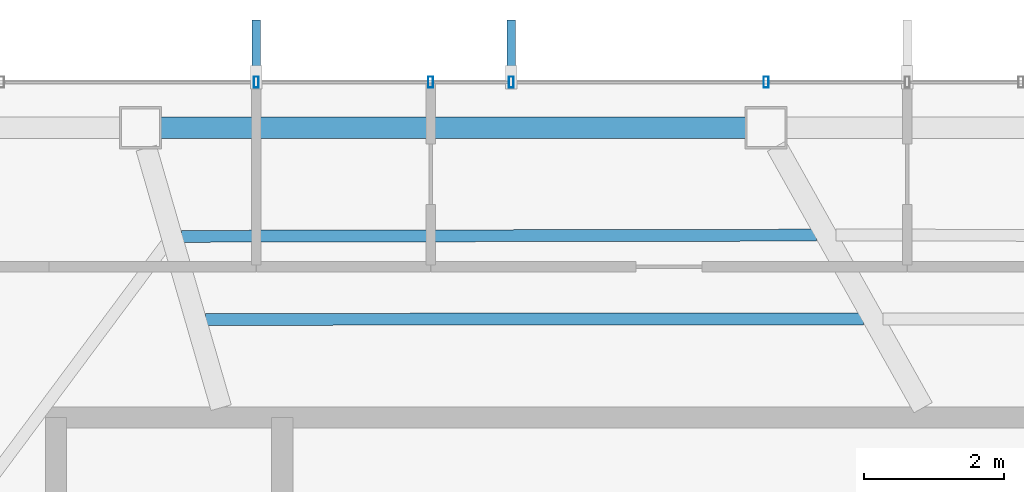
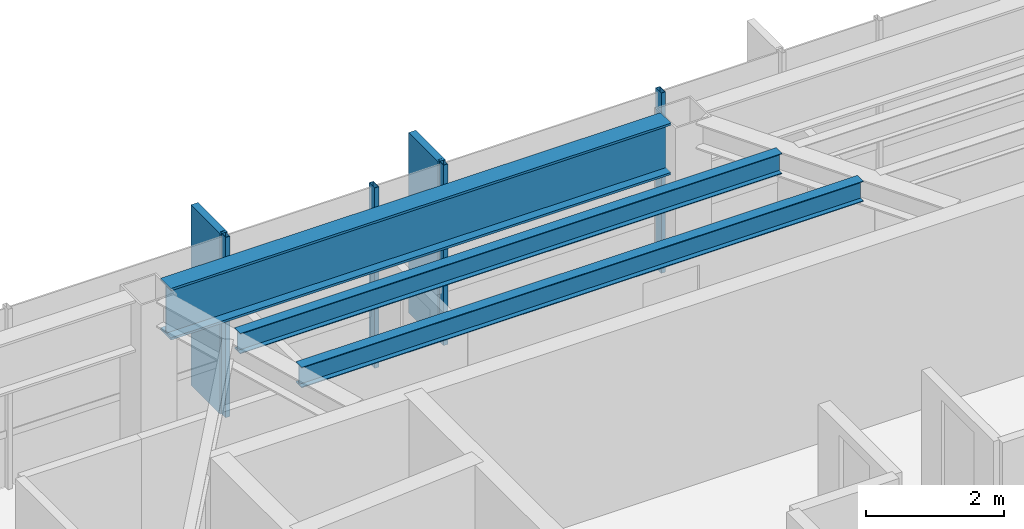
# One storey, part 14 of 27: 6 members, 3 beams, 1 element without a shape of its own.
"""IFC4 building model written with IfcOpenShell, lengths in metres."""

from ifc_helpers import new_model, si_unit, direction, frame, origin, origin_2d, place, context, subcontext, project, spatial, rectangle, hollow_rectangle, i_section, extrude, material, layer, layer_set, material_profile, profile_set, type_object, element, aggregate, save


model = new_model("IFC4")

# Units and contexts
model_context = context("Model", 3, precision=1e-05, world=origin(), true_north=direction((0.0, 1.0)))
body_context = subcontext(model_context, "Body", "Model", "MODEL_VIEW")
ifc_project = project(units=[si_unit("LENGTHUNIT", "METRE"), si_unit("AREAUNIT", "SQUARE_METRE"), si_unit("VOLUMEUNIT", "CUBIC_METRE"), si_unit("PLANEANGLEUNIT", "RADIAN"), si_unit("MASSUNIT", "GRAM", prefix="KILO")], contexts=[model_context])

# Site, building, storey
site_placement = place(None, origin())
site = spatial("IfcSite", under=ifc_project, at=site_placement, CompositionType="ELEMENT")
building_placement = place(site_placement, origin())
building = spatial("IfcBuilding", under=site, at=building_placement, Name="Zarrinselat Tower", CompositionType="ELEMENT")
storey_placement = place(building_placement, frame((0.0, 0.0, 232.56005859375)))
storey = spatial("IfcBuildingStorey", under=building, at=storey_placement, Name="L58", CompositionType="ELEMENT", Elevation=232.56005859375)

# Beams
ifc_material_1 = material(Name="Steel S460M", Category="steel")
ifc_material_profile_1 = material_profile(ifc_material_1, i_section(OverallWidth=0.302001953125, OverallDepth=0.909912109375, WebThickness=0.02099609375, FlangeThickness=0.0400390625, at=origin_2d()), Name="HEM 900")
ifc_profile_set_1 = profile_set([ifc_material_profile_1], Name="Steel S460M")
beam_type_1 = type_object("IfcBeamType", Name="BM-HEM900", PredefinedType="BEAM", material=ifc_profile_set_1)
beam_1_placement = place(storey_placement, frame((30.136962890625, 47.52783203125, 2.724853515625), z_axis=(1.0, 0.0, 0.0), x_axis=(0.0, 1.0, 0.0)))
element("IfcBeam", 1, at=beam_1_placement, inside=storey, type_object=beam_type_1, Name="L58 Perimeter Spandrel Girder SP03", PredefinedType="BEAM", context=body_context, shape_type="SweptSolid", body=[
    extrude(i_section(OverallWidth=0.302001953125, OverallDepth=0.909912109375, WebThickness=0.02099609375, FlangeThickness=0.0400390625, at=origin_2d()), origin(), (0.0, 0.0, 1.0), 8.33837890625),
])
ifc_material_2 = material(Name="Steel S355J2", Category="steel")
ifc_material_profile_2 = material_profile(ifc_material_2, i_section(OverallWidth=0.169921875, OverallDepth=0.360107421875, WebThickness=0.008056640625, FlangeThickness=0.0126953125, at=origin_2d()), Name="IPE 360")
ifc_profile_set_2 = profile_set([ifc_material_profile_2], Name="Steel S355J2")
beam_type_2 = type_object("IfcBeamType", Name="BM-IPE360", PredefinedType="JOIST", material=ifc_profile_set_2)
beam_2_placement = place(storey_placement, frame((30.435546875, 45.980712890625, 3.0), z_axis=(0.999998215301, 0.001889284367, 0.0), x_axis=(-0.001889284367, 0.999998215301, 0.0)))
element("IfcBeam", 2, at=beam_2_placement, inside=storey, type_object=beam_type_2, Name="L58 Composite Floor Joist 8-1", PredefinedType="JOIST", context=body_context, shape_type="SweptSolid", body=[
    extrude(i_section(OverallWidth=0.169921875, OverallDepth=0.360107421875, WebThickness=0.008056640625, FlangeThickness=0.0126953125, at=origin_2d()), origin(), (0.0, 0.0, 1.0), 9.045654296875),
])
beam_3_placement = place(storey_placement, frame((30.777099609375, 44.79736328125, 3.0), z_axis=(0.999999560341, 0.000937719366, 0.0), x_axis=(-0.000937719366, 0.999999560341, 0.0)))
element("IfcBeam", 3, at=beam_3_placement, inside=storey, type_object=beam_type_2, Name="L58 Composite Floor Joist 8-2", PredefinedType="JOIST", context=body_context, shape_type="SweptSolid", body=[
    extrude(i_section(OverallWidth=0.169921875, OverallDepth=0.360107421875, WebThickness=0.008056640625, FlangeThickness=0.0126953125, at=origin_2d()), origin(), (0.0, 0.0, 1.0), 9.372802734375),
])

# Curtain wall, members
ifc_material_3 = material(Name="Extruded Aluminium Alloy EN AW-6063 T6", Category="aluminium")
ifc_layer = layer(ifc_material_3, 0.169921875)
ifc_layer_set = layer_set([ifc_layer], Name="Extruded Aluminium Alloy EN AW-6063 T6")
curtain_wall_type = type_object("IfcCurtainWallType", Name="CWS-RES", PredefinedType="NOTDEFINED", material=ifc_layer_set)
curtain_wall_placement = place(storey_placement, origin())
curtain_wall = element("IfcCurtainWall", 4, at=curtain_wall_placement, inside=storey, type_object=curtain_wall_type, Name="L58 Unitised Curtain Wall CW-L58-E01", PredefinedType="NOTDEFINED")
ifc_material_4 = material(Name="Extruded Aluminium Alloy EN AW-6063 T6", Category="aluminium")
ifc_material_profile_3 = material_profile(ifc_material_4, hollow_rectangle(XDim=0.070068359375, YDim=0.159912109375, WallThickness=0.00390625, at=origin_2d()), Name="RHS 160x70x4")
ifc_profile_set_3 = profile_set([ifc_material_profile_3], Name="Extruded Aluminium Alloy EN AW-6063 T6")
member_type_1 = type_object("IfcMemberType", Name="MEM-CW-MUL2", PredefinedType="MULLION", material=ifc_profile_set_3)
member_1_placement = place(storey_placement, frame((38.763427734375, 48.177734375, 0.0), z_axis=(0.0, 0.0, 1.0), x_axis=(-1.0, 0.0, 0.0)))
member_1 = element("IfcMember", 5, at=member_1_placement, type_object=member_type_1, Name="CW-L58-E01 Mullion 6", PredefinedType="MULLION", context=body_context, shape_type="SweptSolid", body=[
    extrude(hollow_rectangle(XDim=0.070068359375, YDim=0.159912109375, WallThickness=0.00390625, at=origin_2d()), origin(), (0.0, 0.0, 1.0), 3.179931640625),
])
member_2_placement = place(storey_placement, frame((35.133056640625, 48.177734375, 0.0), z_axis=(0.0, 0.0, 1.0), x_axis=(-1.0, 0.0, 0.0)))
member_2 = element("IfcMember", 6, at=member_2_placement, type_object=member_type_1, Name="CW-L58-E01 Mullion 7", PredefinedType="MULLION", context=body_context, shape_type="SweptSolid", body=[
    extrude(hollow_rectangle(XDim=0.070068359375, YDim=0.159912109375, WallThickness=0.00390625, at=origin_2d()), origin(), (0.0, 0.0, 1.0), 3.179931640625),
])
member_3_placement = place(storey_placement, frame((33.98388671875, 48.177734375, 0.0), z_axis=(0.0, 0.0, 1.0), x_axis=(-1.0, 0.0, 0.0)))
member_3 = element("IfcMember", 7, at=member_3_placement, type_object=member_type_1, Name="CW-L58-E01 Mullion 8", PredefinedType="MULLION", context=body_context, shape_type="SweptSolid", body=[
    extrude(hollow_rectangle(XDim=0.070068359375, YDim=0.159912109375, WallThickness=0.00390625, at=origin_2d()), origin(), (0.0, 0.0, 1.0), 3.179931640625),
])
member_4_placement = place(storey_placement, frame((31.5, 48.177734375, 0.0), z_axis=(0.0, 0.0, 1.0), x_axis=(-1.0, 0.0, 0.0)))
member_4 = element("IfcMember", 8, at=member_4_placement, type_object=member_type_1, Name="CW-L58-E01 Mullion 9", PredefinedType="MULLION", context=body_context, shape_type="SweptSolid", body=[
    extrude(hollow_rectangle(XDim=0.070068359375, YDim=0.159912109375, WallThickness=0.00390625, at=origin_2d()), origin(), (0.0, 0.0, 1.0), 3.179931640625),
])
ifc_material_5 = material(Name="Honed Cream Travertine Stone", Category="masonry")
ifc_material_profile_4 = material_profile(ifc_material_5, rectangle(XDim=0.1201171875, YDim=0.85009765625, at=origin_2d()), Name="FIN 850x120")
ifc_profile_set_4 = profile_set([ifc_material_profile_4], Name="Honed Cream Travertine Stone")
member_type_2 = type_object("IfcMemberType", Name="MEM-STONE-FIN", PredefinedType="USERDEFINED", material=ifc_profile_set_4)
member_5_placement = place(storey_placement, frame((35.133056640625, 48.6376953125, 0.0), z_axis=(0.0, 0.0, 1.0), x_axis=(1.0, 0.0, 0.0)))
member_5 = element("IfcMember", 9, at=member_5_placement, type_object=member_type_2, Name="L58 Stone Shading Fin CW-L58-E01-07", ObjectType="FIN", PredefinedType="USERDEFINED", context=body_context, shape_type="SweptSolid", body=[
    extrude(rectangle(XDim=0.1201171875, YDim=0.85009765625, at=origin_2d()), origin(), (0.0, 0.0, 1.0), 3.179931640625),
])
member_6_placement = place(storey_placement, frame((31.5, 48.6376953125, 0.0), z_axis=(0.0, 0.0, 1.0), x_axis=(1.0, 0.0, 0.0)))
member_6 = element("IfcMember", 10, at=member_6_placement, type_object=member_type_2, Name="L58 Stone Shading Fin CW-L58-E01-09", ObjectType="FIN", PredefinedType="USERDEFINED", context=body_context, shape_type="SweptSolid", body=[
    extrude(rectangle(XDim=0.1201171875, YDim=0.85009765625, at=origin_2d()), origin(), (0.0, 0.0, 1.0), 3.179931640625),
])
aggregate(curtain_wall, [member_1, member_2, member_5, member_3, member_4, member_6])

save(model, "model.ifc")
